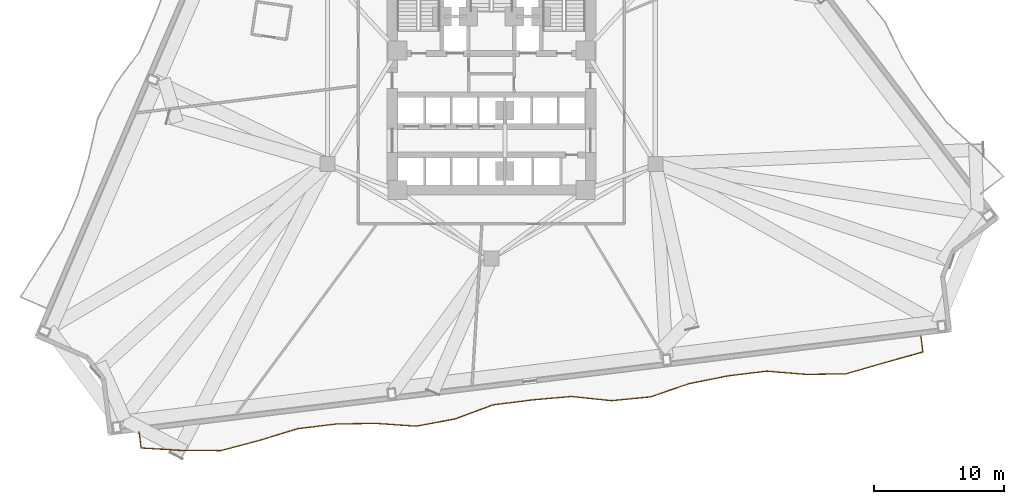
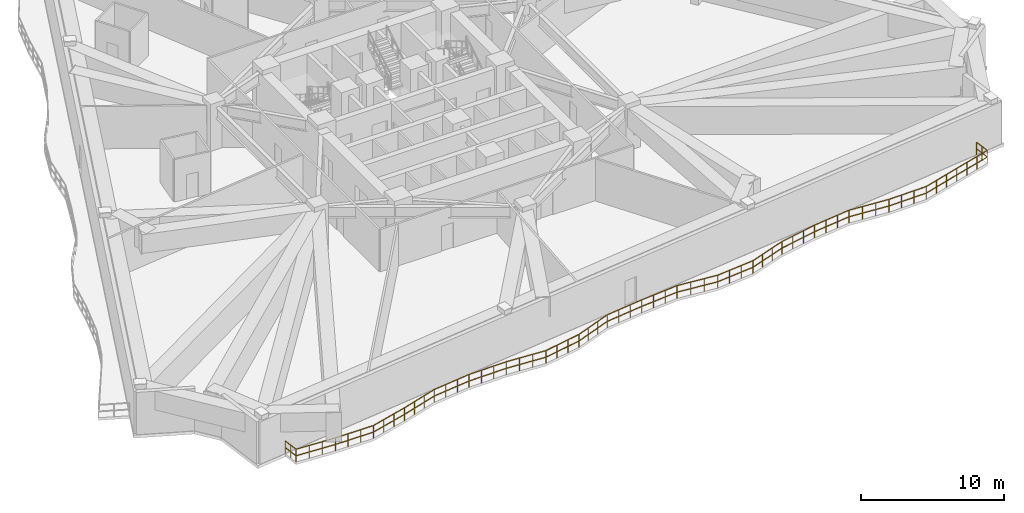
# One storey, part 11 of 14: 1 railing.
"""IFC4 building model written with IfcOpenShell, lengths in metres."""

from ifc_helpers import new_model, si_unit, direction, frame, origin, origin_2d, place, context, subcontext, project, spatial, rectangle, extrude, material, type_object, element, save


model = new_model("IFC4")

# Units and contexts
model_context = context("Model", 3, precision=1e-05, world=origin(), true_north=direction((0.0, 1.0)))
body_context = subcontext(model_context, "Body", "Model", "MODEL_VIEW")
ifc_project = project(units=[si_unit("LENGTHUNIT", "METRE"), si_unit("AREAUNIT", "SQUARE_METRE"), si_unit("VOLUMEUNIT", "CUBIC_METRE"), si_unit("PLANEANGLEUNIT", "RADIAN"), si_unit("MASSUNIT", "GRAM", prefix="KILO")], contexts=[model_context])

# Site, building, storey
site_placement = place(None, origin())
site = spatial("IfcSite", under=ifc_project, at=site_placement, CompositionType="ELEMENT")
building_placement = place(site_placement, origin())
building = spatial("IfcBuilding", under=site, at=building_placement, Name="Apsidion Concourse Tower", CompositionType="ELEMENT")
storey_placement = place(building_placement, frame((0.0, 0.0, 91.0)))
storey = spatial("IfcBuildingStorey", under=building, at=storey_placement, Name="L20", CompositionType="ELEMENT", Elevation=91.0)

# Railing
ifc_material = material(Name="Brushed stainless steel 316", Category="steel")
railing_type = type_object("IfcRailingType", Name="RL-BAL-1120", PredefinedType="BALUSTRADE", material=ifc_material)
railing_placement = place(storey_placement, frame((32.931640625, -20.427734375, 0.0)))
element("IfcRailing", 1, at=railing_placement, inside=storey, type_object=railing_type, Name="L20 Face 2 Rippling Balcony Balustrade", PredefinedType="BALUSTRADE", context=body_context, shape_type="SweptSolid", body=[
    extrude(rectangle(XDim=0.048095703125, YDim=0.048095703125, at=origin_2d()), frame((0.0, 0.0, 1.09619140625), z_axis=(0.121871048404, -0.992545942292, 0.0), x_axis=(0.992545942292, 0.121871048404, 0.0)), (0.0, 0.0, 1.0), 1.25),
    extrude(rectangle(XDim=0.048095703125, YDim=0.048095703125, at=origin_2d()), frame((0.0, 0.0, 0.5361328125), z_axis=(0.121871048404, -0.992545942292, 0.0), x_axis=(0.992545942292, 0.121871048404, 0.0)), (0.0, 0.0, 1.0), 1.25),
    extrude(rectangle(XDim=0.048095703125, YDim=0.048095703125, at=origin_2d()), frame((0.15234375, -1.24072265625, 1.09619140625), z_axis=(-0.963035380312, -0.269374936226, 0.0), x_axis=(0.269374936226, -0.963035380312, 0.0)), (0.0, 0.0, 1.0), 3.05419921875),
    extrude(rectangle(XDim=0.048095703125, YDim=0.048095703125, at=origin_2d()), frame((0.15234375, -1.24072265625, 0.5361328125), z_axis=(-0.963035380312, -0.269374936226, 0.0), x_axis=(0.269374936226, -0.963035380312, 0.0)), (0.0, 0.0, 1.0), 3.05419921875),
    extrude(rectangle(XDim=0.048095703125, YDim=0.048095703125, at=origin_2d()), frame((-2.7890625, -2.0634765625, 1.09619140625), z_axis=(-0.960618109368, -0.277871999228, 0.0), x_axis=(0.277871999228, -0.960618109368, 0.0)), (0.0, 0.0, 1.0), 3.058349609375),
    extrude(rectangle(XDim=0.048095703125, YDim=0.048095703125, at=origin_2d()), frame((-2.7890625, -2.0634765625, 0.5361328125), z_axis=(-0.960618109368, -0.277871999228, 0.0), x_axis=(0.277871999228, -0.960618109368, 0.0)), (0.0, 0.0, 1.0), 3.058349609375),
    extrude(rectangle(XDim=0.048095703125, YDim=0.048095703125, at=origin_2d()), frame((-5.72705078125, -2.913330078125, 1.09619140625), z_axis=(-0.999853329735, -0.017126558845, 0.0), x_axis=(0.017126558845, -0.999853329735, 0.0)), (0.0, 0.0, 1.0), 3.036376953125),
    extrude(rectangle(XDim=0.048095703125, YDim=0.048095703125, at=origin_2d()), frame((-5.72705078125, -2.913330078125, 0.5361328125), z_axis=(-0.999853329735, -0.017126558845, 0.0), x_axis=(0.017126558845, -0.999853329735, 0.0)), (0.0, 0.0, 1.0), 3.036376953125),
    extrude(rectangle(XDim=0.048095703125, YDim=0.048095703125, at=origin_2d()), frame((-8.762939453125, -2.96533203125, 1.09619140625), z_axis=(-0.996636882415, 0.081944643573, 0.0), x_axis=(-0.081944643573, -0.996636882415, 0.0)), (0.0, 0.0, 1.0), 3.08349609375),
    extrude(rectangle(XDim=0.048095703125, YDim=0.048095703125, at=origin_2d()), frame((-8.762939453125, -2.96533203125, 0.5361328125), z_axis=(-0.996636882415, 0.081944643573, 0.0), x_axis=(-0.081944643573, -0.996636882415, 0.0)), (0.0, 0.0, 1.0), 3.08349609375),
    extrude(rectangle(XDim=0.048095703125, YDim=0.048095703125, at=origin_2d()), frame((-11.836181640625, -2.712646484375, 1.09619140625), z_axis=(-0.992550317551, -0.121835409998, 0.0), x_axis=(0.121835409998, -0.992550317551, 0.0)), (0.0, 0.0, 1.0), 3.019775390625),
    extrude(rectangle(XDim=0.048095703125, YDim=0.048095703125, at=origin_2d()), frame((-11.836181640625, -2.712646484375, 0.5361328125), z_axis=(-0.992550317551, -0.121835409998, 0.0), x_axis=(0.121835409998, -0.992550317551, 0.0)), (0.0, 0.0, 1.0), 3.019775390625),
    extrude(rectangle(XDim=0.048095703125, YDim=0.048095703125, at=origin_2d()), frame((-14.83349609375, -3.08056640625, 1.09619140625), z_axis=(-0.980428442379, -0.196875771424, 0.0), x_axis=(0.196875771424, -0.980428442379, 0.0)), (0.0, 0.0, 1.0), 3.0283203125),
    extrude(rectangle(XDim=0.048095703125, YDim=0.048095703125, at=origin_2d()), frame((-14.83349609375, -3.08056640625, 0.5361328125), z_axis=(-0.980428442379, -0.196875771424, 0.0), x_axis=(0.196875771424, -0.980428442379, 0.0)), (0.0, 0.0, 1.0), 3.0283203125),
    extrude(rectangle(XDim=0.048095703125, YDim=0.048095703125, at=origin_2d()), frame((-17.802490234375, -3.6767578125, 1.09619140625), z_axis=(-0.945440189264, -0.325795715939, 0.0), x_axis=(0.325795715939, -0.945440189264, 0.0)), (0.0, 0.0, 1.0), 3.08740234375),
    extrude(rectangle(XDim=0.048095703125, YDim=0.048095703125, at=origin_2d()), frame((-17.802490234375, -3.6767578125, 0.5361328125), z_axis=(-0.945440189264, -0.325795715939, 0.0), x_axis=(0.325795715939, -0.945440189264, 0.0)), (0.0, 0.0, 1.0), 3.08740234375),
    extrude(rectangle(XDim=0.048095703125, YDim=0.048095703125, at=origin_2d()), frame((-20.721435546875, -4.6826171875, 1.09619140625), z_axis=(-0.995182555575, -0.098039181346, 0.0), x_axis=(0.098039181346, -0.995182555575, 0.0)), (0.0, 0.0, 1.0), 3.020751953125),
    extrude(rectangle(XDim=0.048095703125, YDim=0.048095703125, at=origin_2d()), frame((-20.721435546875, -4.6826171875, 0.5361328125), z_axis=(-0.995182555575, -0.098039181346, 0.0), x_axis=(0.098039181346, -0.995182555575, 0.0)), (0.0, 0.0, 1.0), 3.020751953125),
    extrude(rectangle(XDim=0.048095703125, YDim=0.048095703125, at=origin_2d()), frame((-23.7275390625, -4.978759765625, 1.09619140625), z_axis=(-0.994528738747, 0.104463332349, 0.0), x_axis=(-0.104463332349, -0.994528738747, 0.0)), (0.0, 0.0, 1.0), 3.098876953125),
    extrude(rectangle(XDim=0.048095703125, YDim=0.048095703125, at=origin_2d()), frame((-23.7275390625, -4.978759765625, 0.5361328125), z_axis=(-0.994528738747, 0.104463332349, 0.0), x_axis=(-0.104463332349, -0.994528738747, 0.0)), (0.0, 0.0, 1.0), 3.098876953125),
    extrude(rectangle(XDim=0.048095703125, YDim=0.048095703125, at=origin_2d()), frame((-26.8095703125, -4.655029296875, 1.09619140625), z_axis=(-0.996128185254, -0.087912675662, 0.0), x_axis=(0.087912675662, -0.996128185254, 0.0)), (0.0, 0.0, 1.0), 3.021484375),
    extrude(rectangle(XDim=0.048095703125, YDim=0.048095703125, at=origin_2d()), frame((-26.8095703125, -4.655029296875, 0.5361328125), z_axis=(-0.996128185254, -0.087912675662, 0.0), x_axis=(0.087912675662, -0.996128185254, 0.0)), (0.0, 0.0, 1.0), 3.021484375),
    extrude(rectangle(XDim=0.048095703125, YDim=0.048095703125, at=origin_2d()), frame((-29.8193359375, -4.920654296875, 1.09619140625), z_axis=(-0.992136681235, -0.125159121714, 0.0), x_axis=(0.125159121714, -0.992136681235, 0.0)), (0.0, 0.0, 1.0), 3.01953125),
    extrude(rectangle(XDim=0.048095703125, YDim=0.048095703125, at=origin_2d()), frame((-29.8193359375, -4.920654296875, 0.5361328125), z_axis=(-0.992136681235, -0.125159121714, 0.0), x_axis=(0.125159121714, -0.992136681235, 0.0)), (0.0, 0.0, 1.0), 3.01953125),
    extrude(rectangle(XDim=0.048095703125, YDim=0.048095703125, at=origin_2d()), frame((-32.815185546875, -5.298583984375, 1.09619140625), z_axis=(-0.937176413822, -0.348855800261, 0.0), x_axis=(0.348855800261, -0.937176413822, 0.0)), (0.0, 0.0, 1.0), 3.1044921875),
    extrude(rectangle(XDim=0.048095703125, YDim=0.048095703125, at=origin_2d()), frame((-32.815185546875, -5.298583984375, 0.5361328125), z_axis=(-0.937176413822, -0.348855800261, 0.0), x_axis=(0.348855800261, -0.937176413822, 0.0)), (0.0, 0.0, 1.0), 3.1044921875),
    extrude(rectangle(XDim=0.048095703125, YDim=0.048095703125, at=origin_2d()), frame((-35.724609375, -6.381591796875, 1.09619140625), z_axis=(-0.98337552984, -0.18158349956, 0.0), x_axis=(0.18158349956, -0.98337552984, 0.0)), (0.0, 0.0, 1.0), 3.025146484375),
    extrude(rectangle(XDim=0.048095703125, YDim=0.048095703125, at=origin_2d()), frame((-35.724609375, -6.381591796875, 0.5361328125), z_axis=(-0.98337552984, -0.18158349956, 0.0), x_axis=(0.18158349956, -0.98337552984, 0.0)), (0.0, 0.0, 1.0), 3.025146484375),
    extrude(rectangle(XDim=0.048095703125, YDim=0.048095703125, at=origin_2d()), frame((-38.699462890625, -6.930908203125, 1.09619140625), z_axis=(-0.997650390818, 0.068510566346, 0.0), x_axis=(-0.068510566346, -0.997650390818, 0.0)), (0.0, 0.0, 1.0), 3.075439453125),
    extrude(rectangle(XDim=0.048095703125, YDim=0.048095703125, at=origin_2d()), frame((-38.699462890625, -6.930908203125, 0.5361328125), z_axis=(-0.997650390818, 0.068510566346, 0.0), x_axis=(-0.068510566346, -0.997650390818, 0.0)), (0.0, 0.0, 1.0), 3.075439453125),
    extrude(rectangle(XDim=0.048095703125, YDim=0.048095703125, at=origin_2d()), frame((-41.767578125, -6.72021484375, 1.09619140625), z_axis=(-0.999910994342, -0.01334179126, 0.0), x_axis=(0.01334179126, -0.999910994342, 0.0)), (0.0, 0.0, 1.0), 3.03759765625),
    extrude(rectangle(XDim=0.048095703125, YDim=0.048095703125, at=origin_2d()), frame((-41.767578125, -6.72021484375, 0.5361328125), z_axis=(-0.999910994342, -0.01334179126, 0.0), x_axis=(0.01334179126, -0.999910994342, 0.0)), (0.0, 0.0, 1.0), 3.03759765625),
    extrude(rectangle(XDim=0.048095703125, YDim=0.048095703125, at=origin_2d()), frame((-44.804931640625, -6.7607421875, 1.09619140625), z_axis=(-0.992550317551, -0.121835409998, 0.0), x_axis=(0.121835409998, -0.992550317551, 0.0)), (0.0, 0.0, 1.0), 3.019775390625),
    extrude(rectangle(XDim=0.048095703125, YDim=0.048095703125, at=origin_2d()), frame((-44.804931640625, -6.7607421875, 0.5361328125), z_axis=(-0.992550317551, -0.121835409998, 0.0), x_axis=(0.121835409998, -0.992550317551, 0.0)), (0.0, 0.0, 1.0), 3.019775390625),
    extrude(rectangle(XDim=0.048095703125, YDim=0.048095703125, at=origin_2d()), frame((-47.80224609375, -7.128662109375, 1.09619140625), z_axis=(-0.95609347657, -0.29306187753, 0.0), x_axis=(0.29306187753, -0.95609347657, 0.0)), (0.0, 0.0, 1.0), 3.06640625),
    extrude(rectangle(XDim=0.048095703125, YDim=0.048095703125, at=origin_2d()), frame((-47.80224609375, -7.128662109375, 0.5361328125), z_axis=(-0.95609347657, -0.29306187753, 0.0), x_axis=(0.29306187753, -0.95609347657, 0.0)), (0.0, 0.0, 1.0), 3.06640625),
    extrude(rectangle(XDim=0.048095703125, YDim=0.048095703125, at=origin_2d()), frame((-50.734130859375, -8.02734375, 1.09619140625), z_axis=(-0.966705227862, -0.255892560316, 0.0), x_axis=(0.255892560316, -0.966705227862, 0.0)), (0.0, 0.0, 1.0), 3.04833984375),
    extrude(rectangle(XDim=0.048095703125, YDim=0.048095703125, at=origin_2d()), frame((-50.734130859375, -8.02734375, 0.5361328125), z_axis=(-0.966705227862, -0.255892560316, 0.0), x_axis=(0.255892560316, -0.966705227862, 0.0)), (0.0, 0.0, 1.0), 3.04833984375),
    extrude(rectangle(XDim=0.048095703125, YDim=0.048095703125, at=origin_2d()), frame((-53.680908203125, -8.807373046875, 1.09619140625), z_axis=(-0.999965246179, 0.008337051916, 0.0), x_axis=(-0.008337051916, -0.999965246179, 0.0)), (0.0, 0.0, 1.0), 3.04541015625),
    extrude(rectangle(XDim=0.048095703125, YDim=0.048095703125, at=origin_2d()), frame((-53.680908203125, -8.807373046875, 0.5361328125), z_axis=(-0.999965246179, 0.008337051916, 0.0), x_axis=(-0.008337051916, -0.999965246179, 0.0)), (0.0, 0.0, 1.0), 3.04541015625),
    extrude(rectangle(XDim=0.048095703125, YDim=0.048095703125, at=origin_2d()), frame((-56.726318359375, -8.781982421875, 1.09619140625), z_axis=(-0.998252917994, 0.059085630373, 0.0), x_axis=(-0.059085630373, -0.998252917994, 0.0)), (0.0, 0.0, 1.0), 3.070068359375),
    extrude(rectangle(XDim=0.048095703125, YDim=0.048095703125, at=origin_2d()), frame((-56.726318359375, -8.781982421875, 0.5361328125), z_axis=(-0.998252917994, 0.059085630373, 0.0), x_axis=(-0.059085630373, -0.998252917994, 0.0)), (0.0, 0.0, 1.0), 3.070068359375),
    extrude(rectangle(XDim=0.048095703125, YDim=0.048095703125, at=origin_2d()), frame((-59.791015625, -8.6005859375, 1.09619140625), z_axis=(-0.121871048404, 0.992545942292, 0.0), x_axis=(-0.992545942292, -0.121871048404, 0.0)), (0.0, 0.0, 1.0), 1.25),
    extrude(rectangle(XDim=0.048095703125, YDim=0.048095703125, at=origin_2d()), frame((-59.791015625, -8.6005859375, 0.5361328125), z_axis=(-0.121871048404, 0.992545942292, 0.0), x_axis=(-0.992545942292, -0.121871048404, 0.0)), (0.0, 0.0, 1.0), 1.25),
    extrude(rectangle(XDim=0.0419921875, YDim=0.0419921875, at=origin_2d()), origin(), (0.0, 0.0, 1.0), 1.072021484375),
    extrude(rectangle(XDim=0.0419921875, YDim=0.0419921875, at=origin_2d()), frame((0.076171875, -0.620361328125, 0.0)), (0.0, 0.0, 1.0), 1.072021484375),
    extrude(rectangle(XDim=0.0419921875, YDim=0.0419921875, at=origin_2d()), frame((0.15234375, -1.24072265625, 0.0)), (0.0, 0.0, 1.0), 1.072021484375),
    extrude(rectangle(XDim=0.0419921875, YDim=0.0419921875, at=origin_2d()), frame((-0.828125, -1.514892578125, 0.0)), (0.0, 0.0, 1.0), 1.072021484375),
    extrude(rectangle(XDim=0.0419921875, YDim=0.0419921875, at=origin_2d()), frame((-1.80859375, -1.789306640625, 0.0)), (0.0, 0.0, 1.0), 1.072021484375),
    extrude(rectangle(XDim=0.0419921875, YDim=0.0419921875, at=origin_2d()), frame((-2.7890625, -2.0634765625, 0.0)), (0.0, 0.0, 1.0), 1.072021484375),
    extrude(rectangle(XDim=0.0419921875, YDim=0.0419921875, at=origin_2d()), frame((-3.768310546875, -2.3466796875, 0.0)), (0.0, 0.0, 1.0), 1.072021484375),
    extrude(rectangle(XDim=0.0419921875, YDim=0.0419921875, at=origin_2d()), frame((-4.747802734375, -2.630126953125, 0.0)), (0.0, 0.0, 1.0), 1.072021484375),
    extrude(rectangle(XDim=0.0419921875, YDim=0.0419921875, at=origin_2d()), frame((-5.72705078125, -2.913330078125, 0.0)), (0.0, 0.0, 1.0), 1.072021484375),
    extrude(rectangle(XDim=0.0419921875, YDim=0.0419921875, at=origin_2d()), frame((-6.739013671875, -2.9306640625, 0.0)), (0.0, 0.0, 1.0), 1.072021484375),
    extrude(rectangle(XDim=0.0419921875, YDim=0.0419921875, at=origin_2d()), frame((-7.7509765625, -2.947998046875, 0.0)), (0.0, 0.0, 1.0), 1.072021484375),
    extrude(rectangle(XDim=0.0419921875, YDim=0.0419921875, at=origin_2d()), frame((-8.762939453125, -2.96533203125, 0.0)), (0.0, 0.0, 1.0), 1.072021484375),
    extrude(rectangle(XDim=0.0419921875, YDim=0.0419921875, at=origin_2d()), frame((-9.787353515625, -2.881103515625, 0.0)), (0.0, 0.0, 1.0), 1.072021484375),
    extrude(rectangle(XDim=0.0419921875, YDim=0.0419921875, at=origin_2d()), frame((-10.811767578125, -2.796875, 0.0)), (0.0, 0.0, 1.0), 1.072021484375),
    extrude(rectangle(XDim=0.0419921875, YDim=0.0419921875, at=origin_2d()), frame((-11.836181640625, -2.712646484375, 0.0)), (0.0, 0.0, 1.0), 1.072021484375),
    extrude(rectangle(XDim=0.0419921875, YDim=0.0419921875, at=origin_2d()), frame((-12.835205078125, -2.835205078125, 0.0)), (0.0, 0.0, 1.0), 1.072021484375),
    extrude(rectangle(XDim=0.0419921875, YDim=0.0419921875, at=origin_2d()), frame((-13.83447265625, -2.9580078125, 0.0)), (0.0, 0.0, 1.0), 1.072021484375),
    extrude(rectangle(XDim=0.0419921875, YDim=0.0419921875, at=origin_2d()), frame((-14.83349609375, -3.08056640625, 0.0)), (0.0, 0.0, 1.0), 1.072021484375),
    extrude(rectangle(XDim=0.0419921875, YDim=0.0419921875, at=origin_2d()), frame((-15.8232421875, -3.279296875, 0.0)), (0.0, 0.0, 1.0), 1.072021484375),
    extrude(rectangle(XDim=0.0419921875, YDim=0.0419921875, at=origin_2d()), frame((-16.812744140625, -3.47802734375, 0.0)), (0.0, 0.0, 1.0), 1.072021484375),
    extrude(rectangle(XDim=0.0419921875, YDim=0.0419921875, at=origin_2d()), frame((-17.802490234375, -3.6767578125, 0.0)), (0.0, 0.0, 1.0), 1.072021484375),
    extrude(rectangle(XDim=0.0419921875, YDim=0.0419921875, at=origin_2d()), frame((-18.775390625, -4.011962890625, 0.0)), (0.0, 0.0, 1.0), 1.072021484375),
    extrude(rectangle(XDim=0.0419921875, YDim=0.0419921875, at=origin_2d()), frame((-19.74853515625, -4.347412109375, 0.0)), (0.0, 0.0, 1.0), 1.072021484375),
    extrude(rectangle(XDim=0.0419921875, YDim=0.0419921875, at=origin_2d()), frame((-20.721435546875, -4.6826171875, 0.0)), (0.0, 0.0, 1.0), 1.072021484375),
    extrude(rectangle(XDim=0.0419921875, YDim=0.0419921875, at=origin_2d()), frame((-21.723388671875, -4.78125, 0.0)), (0.0, 0.0, 1.0), 1.072021484375),
    extrude(rectangle(XDim=0.0419921875, YDim=0.0419921875, at=origin_2d()), frame((-22.7255859375, -4.880126953125, 0.0)), (0.0, 0.0, 1.0), 1.072021484375),
    extrude(rectangle(XDim=0.0419921875, YDim=0.0419921875, at=origin_2d()), frame((-23.7275390625, -4.978759765625, 0.0)), (0.0, 0.0, 1.0), 1.072021484375),
    extrude(rectangle(XDim=0.0419921875, YDim=0.0419921875, at=origin_2d()), frame((-24.7548828125, -4.870849609375, 0.0)), (0.0, 0.0, 1.0), 1.072021484375),
    extrude(rectangle(XDim=0.0419921875, YDim=0.0419921875, at=origin_2d()), frame((-25.7822265625, -4.762939453125, 0.0)), (0.0, 0.0, 1.0), 1.072021484375),
    extrude(rectangle(XDim=0.0419921875, YDim=0.0419921875, at=origin_2d()), frame((-26.8095703125, -4.655029296875, 0.0)), (0.0, 0.0, 1.0), 1.072021484375),
    extrude(rectangle(XDim=0.0419921875, YDim=0.0419921875, at=origin_2d()), frame((-27.812744140625, -4.74365234375, 0.0)), (0.0, 0.0, 1.0), 1.072021484375),
    extrude(rectangle(XDim=0.0419921875, YDim=0.0419921875, at=origin_2d()), frame((-28.816162109375, -4.83203125, 0.0)), (0.0, 0.0, 1.0), 1.072021484375),
    extrude(rectangle(XDim=0.0419921875, YDim=0.0419921875, at=origin_2d()), frame((-29.8193359375, -4.920654296875, 0.0)), (0.0, 0.0, 1.0), 1.072021484375),
    extrude(rectangle(XDim=0.0419921875, YDim=0.0419921875, at=origin_2d()), frame((-30.81787109375, -5.046630859375, 0.0)), (0.0, 0.0, 1.0), 1.072021484375),
    extrude(rectangle(XDim=0.0419921875, YDim=0.0419921875, at=origin_2d()), frame((-31.816650390625, -5.172607421875, 0.0)), (0.0, 0.0, 1.0), 1.072021484375),
    extrude(rectangle(XDim=0.0419921875, YDim=0.0419921875, at=origin_2d()), frame((-32.815185546875, -5.298583984375, 0.0)), (0.0, 0.0, 1.0), 1.072021484375),
    extrude(rectangle(XDim=0.0419921875, YDim=0.0419921875, at=origin_2d()), frame((-33.784912109375, -5.65966796875, 0.0)), (0.0, 0.0, 1.0), 1.072021484375),
    extrude(rectangle(XDim=0.0419921875, YDim=0.0419921875, at=origin_2d()), frame((-34.7548828125, -6.0205078125, 0.0)), (0.0, 0.0, 1.0), 1.072021484375),
    extrude(rectangle(XDim=0.0419921875, YDim=0.0419921875, at=origin_2d()), frame((-35.724609375, -6.381591796875, 0.0)), (0.0, 0.0, 1.0), 1.072021484375),
    extrude(rectangle(XDim=0.0419921875, YDim=0.0419921875, at=origin_2d()), frame((-36.71630859375, -6.564697265625, 0.0)), (0.0, 0.0, 1.0), 1.072021484375),
    extrude(rectangle(XDim=0.0419921875, YDim=0.0419921875, at=origin_2d()), frame((-37.707763671875, -6.747802734375, 0.0)), (0.0, 0.0, 1.0), 1.072021484375),
    extrude(rectangle(XDim=0.0419921875, YDim=0.0419921875, at=origin_2d()), frame((-38.699462890625, -6.930908203125, 0.0)), (0.0, 0.0, 1.0), 1.072021484375),
    extrude(rectangle(XDim=0.0419921875, YDim=0.0419921875, at=origin_2d()), frame((-39.72216796875, -6.860595703125, 0.0)), (0.0, 0.0, 1.0), 1.072021484375),
    extrude(rectangle(XDim=0.0419921875, YDim=0.0419921875, at=origin_2d()), frame((-40.744873046875, -6.79052734375, 0.0)), (0.0, 0.0, 1.0), 1.072021484375),
    extrude(rectangle(XDim=0.0419921875, YDim=0.0419921875, at=origin_2d()), frame((-41.767578125, -6.72021484375, 0.0)), (0.0, 0.0, 1.0), 1.072021484375),
    extrude(rectangle(XDim=0.0419921875, YDim=0.0419921875, at=origin_2d()), frame((-42.780029296875, -6.733642578125, 0.0)), (0.0, 0.0, 1.0), 1.072021484375),
    extrude(rectangle(XDim=0.0419921875, YDim=0.0419921875, at=origin_2d()), frame((-43.79248046875, -6.747314453125, 0.0)), (0.0, 0.0, 1.0), 1.072021484375),
    extrude(rectangle(XDim=0.0419921875, YDim=0.0419921875, at=origin_2d()), frame((-44.804931640625, -6.7607421875, 0.0)), (0.0, 0.0, 1.0), 1.072021484375),
    extrude(rectangle(XDim=0.0419921875, YDim=0.0419921875, at=origin_2d()), frame((-45.803955078125, -6.88330078125, 0.0)), (0.0, 0.0, 1.0), 1.072021484375),
    extrude(rectangle(XDim=0.0419921875, YDim=0.0419921875, at=origin_2d()), frame((-46.80322265625, -7.006103515625, 0.0)), (0.0, 0.0, 1.0), 1.072021484375),
    extrude(rectangle(XDim=0.0419921875, YDim=0.0419921875, at=origin_2d()), frame((-47.80224609375, -7.128662109375, 0.0)), (0.0, 0.0, 1.0), 1.072021484375),
    extrude(rectangle(XDim=0.0419921875, YDim=0.0419921875, at=origin_2d()), frame((-48.779541015625, -7.42822265625, 0.0)), (0.0, 0.0, 1.0), 1.072021484375),
    extrude(rectangle(XDim=0.0419921875, YDim=0.0419921875, at=origin_2d()), frame((-49.7568359375, -7.727783203125, 0.0)), (0.0, 0.0, 1.0), 1.072021484375),
    extrude(rectangle(XDim=0.0419921875, YDim=0.0419921875, at=origin_2d()), frame((-50.734130859375, -8.02734375, 0.0)), (0.0, 0.0, 1.0), 1.072021484375),
    extrude(rectangle(XDim=0.0419921875, YDim=0.0419921875, at=origin_2d()), frame((-51.71630859375, -8.287353515625, 0.0)), (0.0, 0.0, 1.0), 1.072021484375),
    extrude(rectangle(XDim=0.0419921875, YDim=0.0419921875, at=origin_2d()), frame((-52.69873046875, -8.54736328125, 0.0)), (0.0, 0.0, 1.0), 1.072021484375),
    extrude(rectangle(XDim=0.0419921875, YDim=0.0419921875, at=origin_2d()), frame((-53.680908203125, -8.807373046875, 0.0)), (0.0, 0.0, 1.0), 1.072021484375),
    extrude(rectangle(XDim=0.0419921875, YDim=0.0419921875, at=origin_2d()), frame((-54.696044921875, -8.798828125, 0.0)), (0.0, 0.0, 1.0), 1.072021484375),
    extrude(rectangle(XDim=0.0419921875, YDim=0.0419921875, at=origin_2d()), frame((-55.711181640625, -8.79052734375, 0.0)), (0.0, 0.0, 1.0), 1.072021484375),
    extrude(rectangle(XDim=0.0419921875, YDim=0.0419921875, at=origin_2d()), frame((-56.726318359375, -8.781982421875, 0.0)), (0.0, 0.0, 1.0), 1.072021484375),
    extrude(rectangle(XDim=0.0419921875, YDim=0.0419921875, at=origin_2d()), frame((-57.747802734375, -8.721435546875, 0.0)), (0.0, 0.0, 1.0), 1.072021484375),
    extrude(rectangle(XDim=0.0419921875, YDim=0.0419921875, at=origin_2d()), frame((-58.76953125, -8.6611328125, 0.0)), (0.0, 0.0, 1.0), 1.072021484375),
    extrude(rectangle(XDim=0.0419921875, YDim=0.0419921875, at=origin_2d()), frame((-59.791015625, -8.6005859375, 0.0)), (0.0, 0.0, 1.0), 1.072021484375),
    extrude(rectangle(XDim=0.0419921875, YDim=0.0419921875, at=origin_2d()), frame((-59.8671875, -7.980224609375, 0.0)), (0.0, 0.0, 1.0), 1.072021484375),
    extrude(rectangle(XDim=0.0419921875, YDim=0.0419921875, at=origin_2d()), frame((-59.943359375, -7.35986328125, 0.0)), (0.0, 0.0, 1.0), 1.072021484375),
])

save(model, "model.ifc")
